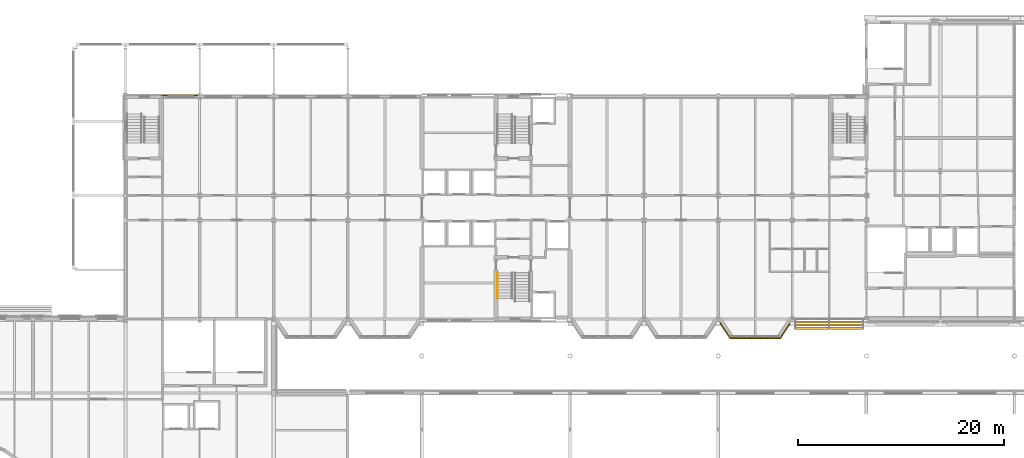
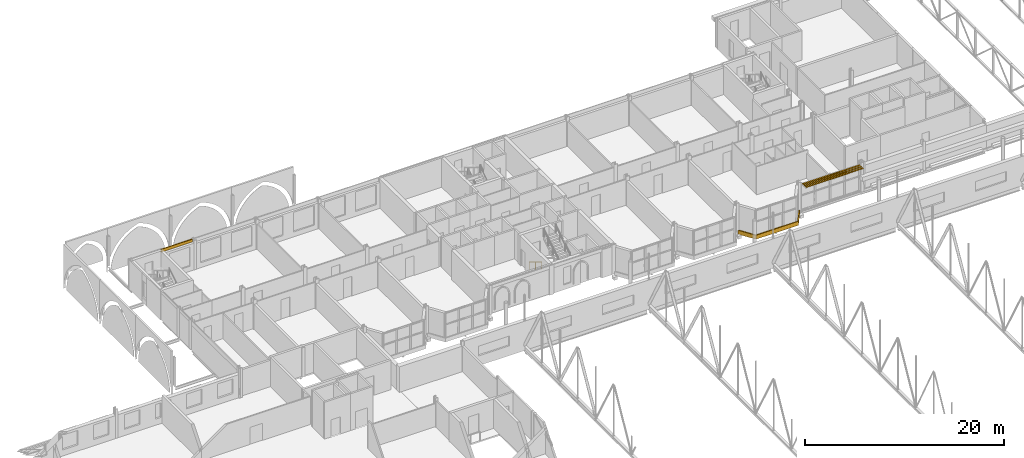
# One storey, part 128 of 142: 3 shading devices, 2 coverings, 1 railing.
"""IFC4 building model written with IfcOpenShell, lengths in metres."""

from ifc_helpers import new_model, si_unit, direction, frame, origin, origin_2d, place, context, subcontext, project, spatial, polyline, rectangle, circle, outline, extrude, material, layer, layer_set, type_object, element, save


model = new_model("IFC4")

# Units and contexts
model_context = context("Model", 3, precision=1e-05, world=origin(), true_north=direction((0.0, 1.0)))
body_context = subcontext(model_context, "Body", "Model", "MODEL_VIEW")
ifc_project = project(units=[si_unit("LENGTHUNIT", "METRE"), si_unit("AREAUNIT", "SQUARE_METRE"), si_unit("VOLUMEUNIT", "CUBIC_METRE"), si_unit("PLANEANGLEUNIT", "RADIAN"), si_unit("MASSUNIT", "GRAM", prefix="KILO")], contexts=[model_context])

# Site, building, storey
site_placement = place(None, origin())
site = spatial("IfcSite", under=ifc_project, at=site_placement, CompositionType="ELEMENT")
building_placement = place(site_placement, origin())
building = spatial("IfcBuilding", under=site, at=building_placement, Name="Kupolbacken Congress Centre", CompositionType="ELEMENT")
storey_placement = place(building_placement, frame((0.0, 0.0, 14.39990234375)))
storey = spatial("IfcBuildingStorey", under=building, at=storey_placement, Name="L04", CompositionType="ELEMENT", Elevation=14.39990234375)

# Coverings
ifc_material_1 = material(Name="Limestone cladding", Category="masonry")
ifc_layer_1 = layer(ifc_material_1, 0.1201171875)
ifc_layer_set_1 = layer_set([ifc_layer_1], Name="Limestone cladding")
covering_type = type_object("IfcCoveringType", Name="CV1 limestone cladding band 120", PredefinedType="CLADDING", material=ifc_layer_set_1)
covering_1_placement = place(storey_placement, frame((0.0, 0.0, -0.199951171875)))
element("IfcCovering", 1, at=covering_1_placement, inside=storey, type_object=covering_type, Name="E/T/belt/L04/S/122.4", PredefinedType="CLADDING", context=body_context, shape_type="SweptSolid", body=[
    extrude(outline(polyline([(129.57763671875, 122.14990234375), (129.433349609375, 122.14990234375), (128.39990234375, 120.60009765625), (123.60009765625, 120.60009765625), (122.566650390625, 122.14990234375), (122.42236328125, 122.14990234375), (123.535888671875, 120.47998046875), (128.464111328125, 120.47998046875), (129.57763671875, 122.14990234375)])), origin(), (0.0, 0.0, 1.0), 0.47998046875),
])
covering_2_placement = place(storey_placement, frame((70.023193359375, 144.137451171875, 3.26025390625), z_axis=(0.0, 0.0, 1.0), x_axis=(-1.0, 0.0, 0.0)))
element("IfcCovering", 2, at=covering_2_placement, inside=storey, type_object=covering_type, Name="E/T/N/L04/055/band", PredefinedType="CLADDING", context=body_context, shape_type="SweptSolid", body=[
    extrude(rectangle(XDim=3.646484375, YDim=0.10498046875, at=origin_2d()), origin(), (0.0, 0.0, 1.0), 0.340087890625),
])

# Railing
ifc_material_2 = material(Name="Steel S235", Category="steel")
railing_type = type_object("IfcRailingType", Name="RL3 handrail wall-mounted 900", PredefinedType="HANDRAIL", material=ifc_material_2)
railing_placement = place(storey_placement, frame((100.949951171875, 126.89501953125, 0.171630859375)))
element("IfcRailing", 3, at=railing_placement, inside=storey, type_object=railing_type, Name="C/stair/TS1/L04/HR1R", PredefinedType="HANDRAIL", context=body_context, shape_type="SweptSolid", body=[
    extrude(circle(Radius=0.02392578125, at=origin_2d()), frame((0.0, 0.0, 0.8759765625), z_axis=(0.0, -0.852873080145, 0.522118290393), x_axis=(1.0, 0.0, 0.0)), (0.0, 0.0, 1.0), 2.954833984375),
    extrude(circle(Radius=0.02099609375, at=origin_2d()), origin(), (0.0, 0.0, 1.0), 0.851806640625),
    extrude(circle(Radius=0.02099609375, at=origin_2d()), frame((0.0, -1.260009765625, 0.771484375)), (0.0, 0.0, 1.0), 0.851806640625),
    extrude(circle(Radius=0.02099609375, at=origin_2d()), frame((0.0, -2.52001953125, 1.542724609375)), (0.0, 0.0, 1.0), 0.851806640625),
])

# Shading devices
ifc_material_3 = material(Name="Aluminium alloy louvre", Category="aluminium")
ifc_layer_2 = layer(ifc_material_3, 0.030029296875)
ifc_layer_set_2 = layer_set([ifc_layer_2], Name="Aluminium alloy louvre")
shading_device_type = type_object("IfcShadingDeviceType", Name="SC1 louvre blade 30 x 200", PredefinedType="JALOUSIE", material=ifc_layer_set_2)
for number, where, z_axis, x_axis, name in (
    (4, (133.20166015625, 122.10009765625, 3.35986328125), (0.0, 0.0, 1.0), (1.0, 0.0, 0.0), "Brise-soleil blade"),
    (5, (133.20166015625, 121.800048828125, 3.35986328125), (0.0, 0.0, 1.0), (1.0, 0.0, 0.0), "Brise-soleil blade"),
    (6, (133.20166015625, 121.5, 3.35986328125), (0.0, 0.0, 1.0), (1.0, 0.0, 0.0), "Brise-soleil blade"),
):
    element("IfcShadingDevice", number, at=place(storey_placement, frame(where, z_axis=z_axis, x_axis=x_axis)), inside=storey, type_object=shading_device_type, Name=name, PredefinedType="JALOUSIE", context=body_context, shape_type="SweptSolid", body=[
        extrude(rectangle(XDim=6.636474609375, YDim=0.199951171875, at=origin_2d()), origin(), (0.0, 0.0, 1.0), 0.030029296875),
    ])

save(model, "model.ifc")
